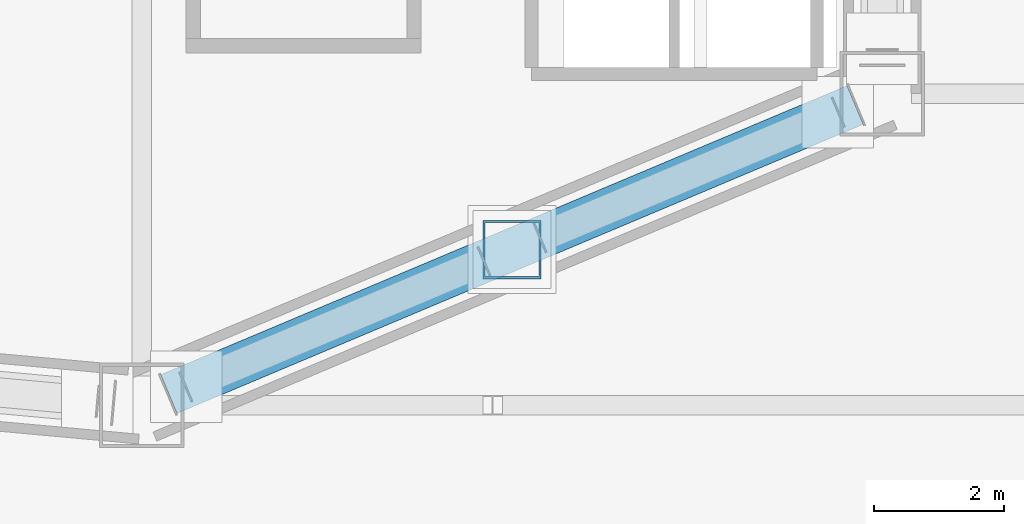
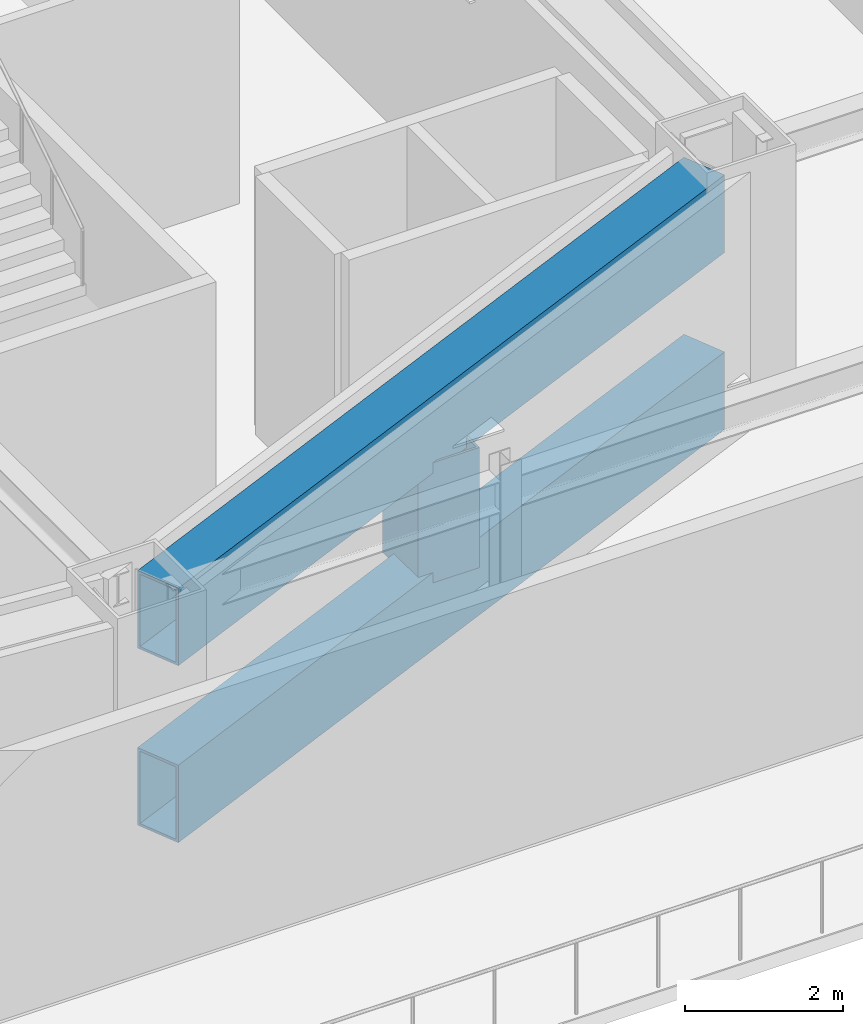
# One storey, part 5 of 39: 2 beams, 1 member.
"""IFC4 building model written with IfcOpenShell, lengths in metres."""

from ifc_helpers import new_model, si_unit, direction, frame, origin, origin_2d, place, context, subcontext, project, spatial, hollow_rectangle, extrude, material, material_profile, profile_set, type_object, element, save


model = new_model("IFC4")

# Units and contexts
model_context = context("Model", 3, precision=1e-05, world=origin(), true_north=direction((0.0, 1.0)))
body_context = subcontext(model_context, "Body", "Model", "MODEL_VIEW")
ifc_project = project(units=[si_unit("LENGTHUNIT", "METRE"), si_unit("AREAUNIT", "SQUARE_METRE"), si_unit("VOLUMEUNIT", "CUBIC_METRE"), si_unit("PLANEANGLEUNIT", "RADIAN"), si_unit("MASSUNIT", "GRAM", prefix="KILO")], contexts=[model_context])

# Site, building, storey
site_placement = place(None, origin())
site = spatial("IfcSite", under=ifc_project, at=site_placement, CompositionType="ELEMENT")
building_placement = place(site_placement, origin())
building = spatial("IfcBuilding", under=site, at=building_placement, Name="Haolan Belvedere Tower", CompositionType="ELEMENT")
storey_placement = place(building_placement, frame((0.0, 0.0, 19.800048828125)))
storey = spatial("IfcBuildingStorey", under=building, at=storey_placement, Name="L04", CompositionType="ELEMENT", Elevation=19.800048828125)

# Beams
ifc_material_1 = material(Name="Steel Q420GJC", Category="steel")
ifc_material_profile_1 = material_profile(ifc_material_1, hollow_rectangle(XDim=0.64990234375, YDim=1.199951171875, WallThickness=0.0400390625, at=origin_2d()), Name="Steel Q420GJC")
ifc_profile_set_1 = profile_set([ifc_material_profile_1], Name="Steel Q420GJC")
beam_type = type_object("IfcBeamType", Name="BM-BOX1200x650x40", PredefinedType="BEAM", material=ifc_profile_set_1)
for number, where, z_axis, x_axis, name in (
    (1, (13.0146484375, 16.974609375, 3.33984375), (0.921637779233, 0.388051290284, 0.0), (-0.388051290284, 0.921637779233, 0.0), "L04 transfer truss TT-T2-S top chord"),
    (2, (13.0146484375, 16.974609375, 0.599853515625), (0.921637779233, 0.388051290284, 0.0), (-0.388051290284, 0.921637779233, 0.0), "L04 transfer truss TT-T2-S bottom chord"),
):
    element("IfcBeam", number, at=place(storey_placement, frame(where, z_axis=z_axis, x_axis=x_axis)), inside=storey, type_object=beam_type, Name=name, PredefinedType="BEAM", context=body_context, shape_type="SweptSolid", body=[
        extrude(hollow_rectangle(XDim=0.64990234375, YDim=1.199951171875, WallThickness=0.0400390625, at=origin_2d()), origin(), (0.0, 0.0, 1.0), 11.46923828125),
    ])

# Member
ifc_material_2 = material(Name="Steel Q390GJC", Category="steel")
ifc_material_profile_2 = material_profile(ifc_material_2, hollow_rectangle(XDim=0.89990234375, YDim=0.89990234375, WallThickness=0.033935546875, at=origin_2d()), Name="Steel Q390GJC")
ifc_profile_set_2 = profile_set([ifc_material_profile_2], Name="Steel Q390GJC")
member_type = type_object("IfcMemberType", Name="MEM-BOX900x900x34", PredefinedType="POST", material=ifc_profile_set_2)
member_placement = place(storey_placement, frame((18.300048828125, 19.199951171875, 1.0400390625), z_axis=(0.0, 0.0, 1.0), x_axis=(1.0, 0.0, 0.0)))
element("IfcMember", 3, at=member_placement, inside=storey, type_object=member_type, Name="L04 transfer truss TT-T2-S web post", PredefinedType="POST", context=body_context, shape_type="SweptSolid", body=[
    extrude(hollow_rectangle(XDim=0.89990234375, YDim=0.89990234375, WallThickness=0.033935546875, at=origin_2d()), origin(), (0.0, 0.0, 1.0), 1.85986328125),
])

save(model, "model.ifc")
